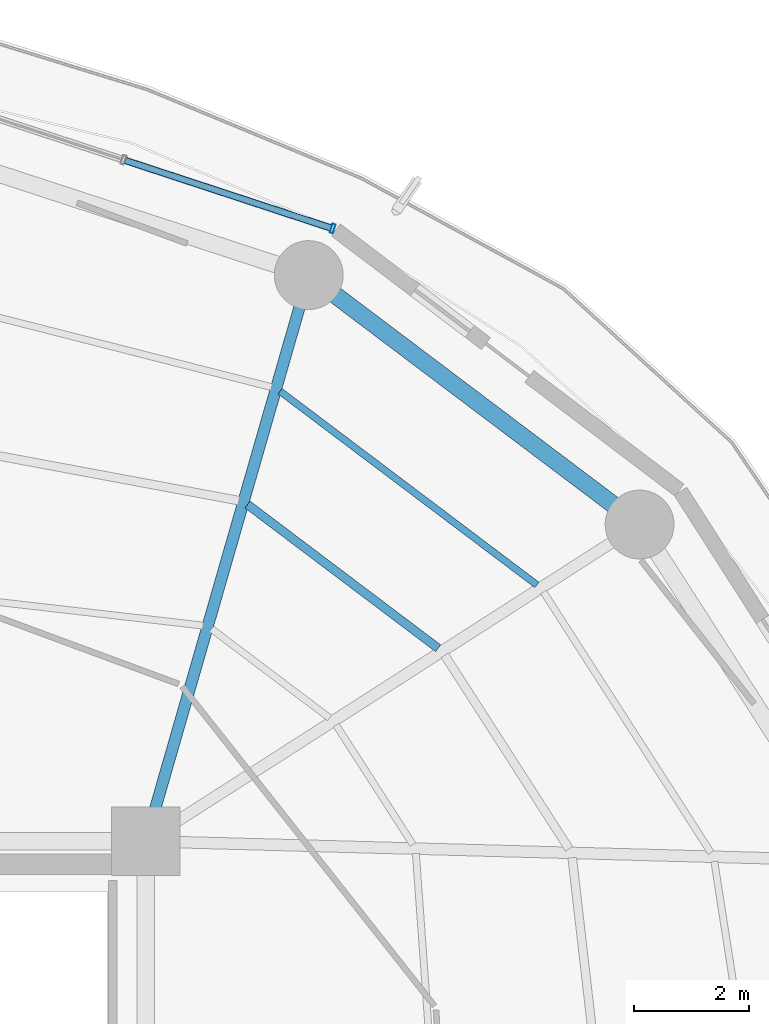
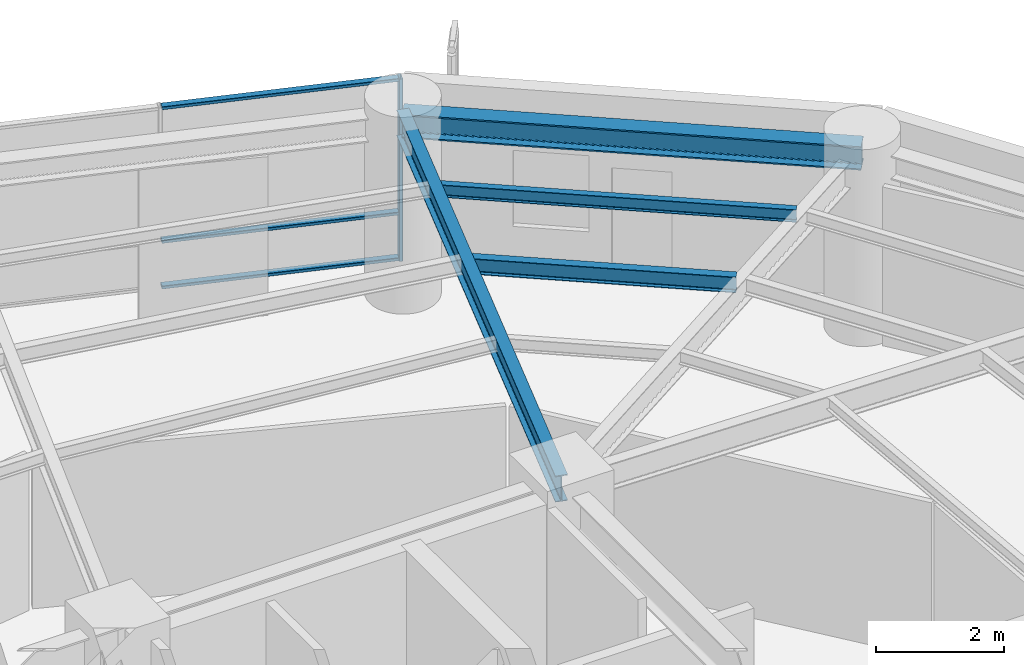
# One storey, part 19 of 27: 4 beams, 4 members, 1 element without a shape of its own.
"""IFC4 building model written with IfcOpenShell, lengths in metres."""

import ifcopenshell
import ifcopenshell.guid

model = None  # the IFC model being written
_history = None  # IfcOwnerHistory: only IFC2X3 demands one
_inside = {}  # id of a spatial element -> (the spatial element, [elements in it])
_under = {}  # id of a project, library or spatial element -> (it, [spatial elements below it])
_declared = {}  # id of a project -> (the project, [libraries it declares])
_typed = {}  # id of a type object -> (the type object, [elements of that type])
_made_of = {}  # id of a material, layer set ... -> (it, [elements and type objects made of it])


def new_model(schema):
    """Start an empty IFC model of exactly this schema.

    Asked for "IFC4X3", IfcOpenShell would pick the latest addendum, in which some entities
    have other attributes; the version numbers below select the first issue.
    IFC2X3 requires an IfcOwnerHistory on every rooted entity: one is made here for all.
    """
    global model, _history
    if schema == "IFC4X3":
        model = ifcopenshell.file(schema_version=(4, 3, 0, 0))
    else:
        model = ifcopenshell.file(schema=schema)
    _inside.clear()
    _under.clear()
    _declared.clear()
    _typed.clear()
    _made_of.clear()
    _history = None
    if model.schema == "IFC2X3":
        org = make("IfcOrganization", Name="unknown")
        user = make(
            "IfcPersonAndOrganization",
            ThePerson=make("IfcPerson", FamilyName="unknown"),
            TheOrganization=org,
        )
        app = make(
            "IfcApplication",
            ApplicationDeveloper=org,
            Version="unknown",
            ApplicationFullName="unknown",
            ApplicationIdentifier="unknown",
        )
        _history = make(
            "IfcOwnerHistory",
            OwningUser=user,
            OwningApplication=app,
            ChangeAction="ADDED",
            CreationDate=0,
        )
    return model


def make(cls, **values):
    """One entity of the class cls with the attributes given. An attribute that is None is left unset."""
    return model.create_entity(
        cls, **{name: value for name, value in values.items() if value is not None}
    )


def rooted(cls, **values):
    """An entity with a GlobalId (a new one), such as an element, a storey or a relation."""
    return make(cls, GlobalId=ifcopenshell.guid.new(), OwnerHistory=_history, **values)


def si_unit(unit_type, name, prefix=None):
    """IfcSIUnit, for example si_unit("LENGTHUNIT", "METRE", prefix="MILLI")."""
    return make("IfcSIUnit", UnitType=unit_type, Prefix=prefix, Name=name)


def assignment(units):
    """IfcUnitAssignment: the units of a project."""
    return None if units is None else make("IfcUnitAssignment", Units=units)


def point(xyz):
    """IfcCartesianPoint."""
    return None if xyz is None else make("IfcCartesianPoint", Coordinates=xyz)


def direction(xyz):
    """IfcDirection."""
    return None if xyz is None else make("IfcDirection", DirectionRatios=xyz)


def frame(location, z_axis=None, x_axis=None):
    """IfcAxis2Placement3D, a coordinate frame: its origin and axes. An axis left out is left unset."""
    return make(
        "IfcAxis2Placement3D",
        Location=point(location),
        Axis=direction(z_axis),
        RefDirection=direction(x_axis),
    )


def frame_2d(location, x_axis=None):
    """IfcAxis2Placement2D, a coordinate frame in the plane: its origin and x axis."""
    return make(
        "IfcAxis2Placement2D", Location=point(location), RefDirection=direction(x_axis)
    )


def origin():
    """The frame at (0, 0, 0) with its axes left unset."""
    return frame((0.0, 0.0, 0.0))


def origin_2d():
    """The frame at (0, 0) in the plane with its x axis left unset."""
    return frame_2d((0.0, 0.0))


def place(relative_to, where):
    """IfcLocalPlacement: puts the frame where relative to a parent placement (None: the world)."""
    return make(
        "IfcLocalPlacement", PlacementRelTo=relative_to, RelativePlacement=where
    )


def context(
    kind, dimensions, precision=None, world=None, true_north=None, identifier=None
):
    """IfcGeometricRepresentationContext, for example the 3D "Model" context."""
    return make(
        "IfcGeometricRepresentationContext",
        ContextIdentifier=identifier,
        ContextType=kind,
        CoordinateSpaceDimension=dimensions,
        Precision=precision,
        WorldCoordinateSystem=world,
        TrueNorth=true_north,
    )


def subcontext(parent, identifier, kind, view, scale=None):
    """IfcGeometricRepresentationSubContext, for example "Body" below "Model"."""
    return make(
        "IfcGeometricRepresentationSubContext",
        ContextIdentifier=identifier,
        ContextType=kind,
        ParentContext=parent,
        TargetScale=scale,
        TargetView=view,
    )


def project(units=None, contexts=None):
    """IfcProject with its units and contexts."""
    return rooted(
        "IfcProject",
        Name="project",
        RepresentationContexts=contexts,
        UnitsInContext=assignment(units),
    )


def spatial(cls, under=None, at=None, **own):
    """A site, building, storey or space (cls), placed at a placement, below another one or the project."""
    s = rooted(cls, ObjectPlacement=at, **own)
    if under is not None:
        _under.setdefault(under.id(), (under, []))[1].append(s)
    return s


def profile(cls, at=None, kind="AREA", **sizes):
    """A parametric profile (cls). Its sizes go by their IFC names, for example OverallWidth=200.0."""
    return make(cls, ProfileType=kind, Position=at, **sizes)


def hollow_rectangle(**sizes):
    """IfcRectangleHollowProfileDef."""
    return profile("IfcRectangleHollowProfileDef", **sizes)


def i_section(**sizes):
    """IfcIShapeProfileDef."""
    return profile("IfcIShapeProfileDef", **sizes)


def extrude(swept, where, along, depth):
    """IfcExtrudedAreaSolid: the profile swept, set in the frame where, extruded along a direction by depth."""
    return make(
        "IfcExtrudedAreaSolid",
        SweptArea=swept,
        Position=where,
        ExtrudedDirection=direction(along),
        Depth=depth,
    )


def shape(context_of_items, identifier, shape_type, items):
    """IfcShapeRepresentation: the items that make up one representation, for example the "Body"."""
    return make(
        "IfcShapeRepresentation",
        ContextOfItems=context_of_items,
        RepresentationIdentifier=identifier,
        RepresentationType=shape_type,
        Items=items,
    )


def material(Name=None, Category=None):
    """IfcMaterial."""
    return make("IfcMaterial", Name=Name, Category=Category)


def layer(
    of_material, thickness, ventilated=None, Name=None, Category=None, Priority=None
):
    """IfcMaterialLayer: one layer of a wall or slab, of a material (None: an air gap)."""
    return make(
        "IfcMaterialLayer",
        Material=of_material,
        LayerThickness=thickness,
        IsVentilated=ventilated,
        Name=Name,
        Category=Category,
        Priority=Priority,
    )


def layer_set(layers, Name=None):
    """IfcMaterialLayerSet."""
    return make("IfcMaterialLayerSet", MaterialLayers=layers, LayerSetName=Name)


def material_profile(
    of_material, cross_section, Name=None, Category=None, Priority=None
):
    """IfcMaterialProfile: a cross section and its material."""
    return make(
        "IfcMaterialProfile",
        Name=Name,
        Material=of_material,
        Profile=cross_section,
        Priority=Priority,
        Category=Category,
    )


def profile_set(profiles, Name=None, composite=None):
    """IfcMaterialProfileSet."""
    return make(
        "IfcMaterialProfileSet",
        Name=Name,
        MaterialProfiles=profiles,
        CompositeProfile=composite,
    )


def made_of(thing, what):
    """Note that an element or type object is made of a material, layer set ...; save() writes the relation."""
    if what is not None:
        _made_of.setdefault(what.id(), (what, []))[1].append(thing)
    return thing


def type_object(cls, material=None, **own):
    """A type object (cls), such as IfcWallType, which elements share."""
    return made_of(rooted(cls, **own), material)


def element(
    cls,
    number,
    at=None,
    inside=None,
    cuts=None,
    type_object=None,
    material=None,
    context=None,
    identifier="Body",
    shape_type=None,
    held_by="IfcProductDefinitionShape",
    body=None,
    shapes=None,
    **own,
):
    """One element of the class cls, such as IfcWall. Its Tag is "e" and its number.

    at: its placement. inside: the storey or other place that contains it. cuts: it is an
    opening in that element (IfcRelVoidsElement). A single representation is given by context,
    identifier, shape_type and body (its items); several are given by shapes. held_by: the class
    of the entity that holds the representations. save() writes the other relations.
    """
    e = rooted(cls, Tag="e%d" % number, ObjectPlacement=at, **own)
    if body is not None:
        shapes = [shape(context, identifier, shape_type, body)]
    if shapes is not None:
        e.Representation = make(held_by, Representations=shapes)
    if inside is not None:
        _inside.setdefault(inside.id(), (inside, []))[1].append(e)
    if cuts is not None:
        rooted(
            "IfcRelVoidsElement", RelatingBuildingElement=cuts, RelatedOpeningElement=e
        )
    if type_object is not None:
        _typed.setdefault(type_object.id(), (type_object, []))[1].append(e)
    return made_of(e, material)


def aggregate(whole, parts):
    """IfcRelAggregates: a whole, such as a stair, and the parts it consists of."""
    return rooted("IfcRelAggregates", RelatingObject=whole, RelatedObjects=parts)


def save(model, path):
    """Write the relations noted so far, then the file.

    IfcRelAggregates (storeys below a building ...), IfcRelContainedInSpatialStructure (elements
    in a storey), IfcRelDefinesByType, IfcRelAssociatesMaterial and IfcRelDeclares: one each for
    every whole, place, type object, material and project.
    """
    for whole, parts in _under.values():
        aggregate(whole, parts)
    for where, things in _inside.values():
        rooted(
            "IfcRelContainedInSpatialStructure",
            RelatedElements=things,
            RelatingStructure=where,
        )
    for kind, things in _typed.values():
        rooted("IfcRelDefinesByType", RelatedObjects=things, RelatingType=kind)
    for what, things in _made_of.values():
        rooted("IfcRelAssociatesMaterial", RelatedObjects=things, RelatingMaterial=what)
    for by, libraries in _declared.values():
        rooted("IfcRelDeclares", RelatingContext=by, RelatedDefinitions=libraries)
    model.write(path)


model = new_model("IFC4")

# Units and contexts
model_context = context("Model", 3, precision=1e-05, world=origin(), true_north=direction((0.0, 1.0)))
body_context = subcontext(model_context, "Body", "Model", "MODEL_VIEW")
ifc_project = project(units=[si_unit("LENGTHUNIT", "METRE"), si_unit("AREAUNIT", "SQUARE_METRE"), si_unit("VOLUMEUNIT", "CUBIC_METRE"), si_unit("PLANEANGLEUNIT", "RADIAN"), si_unit("MASSUNIT", "GRAM", prefix="KILO")], contexts=[model_context])

# Site, building, storey
site_placement = place(None, origin())
site = spatial("IfcSite", under=ifc_project, at=site_placement, CompositionType="ELEMENT")
building_placement = place(site_placement, origin())
building = spatial("IfcBuilding", under=site, at=building_placement, Name="Kelanora Arch Commons", CompositionType="ELEMENT")
storey_placement = place(building_placement, frame((0.0, 0.0, 150.60009765625)))
storey = spatial("IfcBuildingStorey", under=building, at=storey_placement, Name="L38", CompositionType="ELEMENT", Elevation=150.60009765625)

# Beams
ifc_material_1 = material(Name="Steel S355", Category="steel")
ifc_material_profile_1 = material_profile(ifc_material_1, i_section(OverallWidth=0.14990234375, OverallDepth=0.300048828125, WebThickness=0.007080078125, FlangeThickness=0.0107421875, FilletRadius=0.014892578125, at=origin_2d()), Name="IPE300")
ifc_profile_set_1 = profile_set([ifc_material_profile_1], Name="Steel S355")
beam_type_1 = type_object("IfcBeamType", Name="BM-JST-01", PredefinedType="JOIST", material=ifc_profile_set_1)
beam_1_placement = place(storey_placement, frame((87.0966796875, 68.364013671875, 3.33984375), z_axis=(-0.798463547891, 0.602043156833, 0.0), x_axis=(-0.602043156833, -0.798463547891, 0.0)))
element("IfcBeam", 1, at=beam_1_placement, inside=storey, type_object=beam_type_1, Name="Secondary Chord Joist BJB-04 L38", PredefinedType="JOIST", context=body_context, shape_type="SweptSolid", body=[
    extrude(i_section(OverallWidth=0.14990234375, OverallDepth=0.300048828125, WebThickness=0.007080078125, FlangeThickness=0.0107421875, FilletRadius=0.014892578125, at=origin_2d()), origin(), (0.0, 0.0, 1.0), 4.163818359375),
])
ifc_material_profile_2 = material_profile(ifc_material_1, i_section(OverallWidth=0.1201171875, OverallDepth=0.239990234375, WebThickness=0.006103515625, FlangeThickness=0.009765625, FilletRadius=0.014892578125, at=origin_2d()), Name="IPE240")
ifc_profile_set_2 = profile_set([ifc_material_profile_2], Name="Steel S355")
beam_type_2 = type_object("IfcBeamType", Name="BM-JST-02", PredefinedType="JOIST", material=ifc_profile_set_2)
beam_2_placement = place(storey_placement, frame((88.818359375, 69.468505859375, 3.369873046875), z_axis=(-0.798493128577, 0.602003923256, 0.0), x_axis=(-0.602003923256, -0.798493128577, 0.0)))
element("IfcBeam", 2, at=beam_2_placement, inside=storey, type_object=beam_type_2, Name="Secondary Chord Joist BJC-04 L38", PredefinedType="JOIST", context=body_context, shape_type="SweptSolid", body=[
    extrude(i_section(OverallWidth=0.1201171875, OverallDepth=0.239990234375, WebThickness=0.006103515625, FlangeThickness=0.009765625, FilletRadius=0.014892578125, at=origin_2d()), origin(), (0.0, 0.0, 1.0), 5.608642578125),
])
ifc_material_profile_3 = material_profile(ifc_material_1, i_section(OverallWidth=0.199951171875, OverallDepth=0.5, WebThickness=0.01025390625, FlangeThickness=0.01611328125, FilletRadius=0.02099609375, at=origin_2d()), Name="IPE500")
ifc_profile_set_3 = profile_set([ifc_material_profile_3], Name="Steel S355")
beam_type_3 = type_object("IfcBeamType", Name="BM-RAD-Z3", PredefinedType="BEAM", material=ifc_profile_set_3)
beam_3_placement = place(storey_placement, frame((82.0, 65.0, 3.239990234375), z_axis=(0.276525880065, 0.961006471182, 0.0), x_axis=(-0.961006471182, 0.276525880065, 0.0)))
element("IfcBeam", 3, at=beam_3_placement, inside=storey, type_object=beam_type_3, Name="Radial Floor Girder BR-06 L38", PredefinedType="BEAM", context=body_context, shape_type="SweptSolid", body=[
    extrude(i_section(OverallWidth=0.199951171875, OverallDepth=0.5, WebThickness=0.01025390625, FlangeThickness=0.01611328125, FilletRadius=0.02099609375, at=origin_2d()), origin(), (0.0, 0.0, 1.0), 10.2705078125),
])
ifc_material_profile_4 = material_profile(ifc_material_1, i_section(OverallWidth=0.300048828125, OverallDepth=0.449951171875, WebThickness=0.013916015625, FlangeThickness=0.02587890625, FilletRadius=0.027099609375, at=origin_2d()), Name="HEB450")
ifc_profile_set_4 = profile_set([ifc_material_profile_4], Name="Steel S355")
beam_type_4 = type_object("IfcBeamType", Name="BM-SPN-Z3", PredefinedType="SPANDREL", material=ifc_profile_set_4)
beam_4_placement = place(storey_placement, frame((90.60791015625, 70.521484375, 3.264892578125), z_axis=(-0.798484645564, 0.60201517489, 0.0), x_axis=(-0.60201517489, -0.798484645564, 0.0)))
element("IfcBeam", 4, at=beam_4_placement, inside=storey, type_object=beam_type_4, Name="Perimeter Spandrel Beam BS-04 L38", PredefinedType="SPANDREL", context=body_context, shape_type="SweptSolid", body=[
    extrude(i_section(OverallWidth=0.300048828125, OverallDepth=0.449951171875, WebThickness=0.013916015625, FlangeThickness=0.02587890625, FilletRadius=0.027099609375, at=origin_2d()), origin(), (0.0, 0.0, 1.0), 7.223388671875),
])

# Curtain wall, members
ifc_material_2 = material(Name="Terracotta ceramic-fritted low-E glass and aluminium", Category="masonry")
ifc_layer = layer(ifc_material_2, 0.175048828125)
ifc_layer_set = layer_set([ifc_layer], Name="Terracotta ceramic-fritted low-E glass and aluminium")
curtain_wall_type = type_object("IfcCurtainWallType", Name="CW-SYS-02", PredefinedType="NOTDEFINED", material=ifc_layer_set)
curtain_wall_placement = place(storey_placement, origin())
curtain_wall = element("IfcCurtainWall", 5, at=curtain_wall_placement, inside=storey, type_object=curtain_wall_type, Name="Unitised Curtain Wall L38-B03", PredefinedType="NOTDEFINED")
ifc_material_3 = material(Name="Powder-coated aluminium terracotta", Category="masonry")
ifc_material_profile_5 = material_profile(ifc_material_3, hollow_rectangle(XDim=0.159912109375, YDim=0.06005859375, WallThickness=0.0048828125, InnerFilletRadius=0.0048828125, OuterFilletRadius=0.010009765625, at=origin_2d()), Name="CWM160x60")
ifc_profile_set_5 = profile_set([ifc_material_profile_5], Name="Powder-coated aluminium terracotta")
member_type_1 = type_object("IfcMemberType", Name="CWM-STD", PredefinedType="MULLION", material=ifc_profile_set_5)
member_1_placement = place(storey_placement, frame((85.257080078125, 75.680908203125, 0.0), z_axis=(0.0, 0.0, 1.0), x_axis=(-0.312128279571, -0.95003996605, 0.0)))
member_1 = element("IfcMember", 6, at=member_1_placement, type_object=member_type_1, Name="CW-02 mullion 1", PredefinedType="MULLION", context=body_context, shape_type="SweptSolid", body=[
    extrude(hollow_rectangle(XDim=0.159912109375, YDim=0.06005859375, WallThickness=0.0048828125, InnerFilletRadius=0.0048828125, OuterFilletRadius=0.010009765625, at=origin_2d()), origin(), (0.0, 0.0, 1.0), 3.474853515625),
])
ifc_material_profile_6 = material_profile(ifc_material_3, hollow_rectangle(XDim=0.1201171875, YDim=0.06005859375, WallThickness=0.0048828125, InnerFilletRadius=0.0048828125, OuterFilletRadius=0.010009765625, at=origin_2d()), Name="CWT120x60")
ifc_profile_set_6 = profile_set([ifc_material_profile_6], Name="Powder-coated aluminium terracotta")
member_type_2 = type_object("IfcMemberType", Name="CWT-STD", PredefinedType="USERDEFINED", material=ifc_profile_set_6)
member_2_placement = place(storey_placement, frame((85.228759765625, 75.6904296875, 0.02978515625), z_axis=(-0.950051191155, 0.312094111104, 0.0), x_axis=(-0.312094111104, -0.950051191155, 0.0)))
member_2 = element("IfcMember", 7, at=member_2_placement, type_object=member_type_2, Name="CW-02 transom 1.1", ObjectType="TRANSOM", PredefinedType="USERDEFINED", context=body_context, shape_type="SweptSolid", body=[
    extrude(hollow_rectangle(XDim=0.1201171875, YDim=0.06005859375, WallThickness=0.0048828125, InnerFilletRadius=0.0048828125, OuterFilletRadius=0.010009765625, at=origin_2d()), origin(), (0.0, 0.0, 1.0), 3.77685546875),
])
member_3_placement = place(storey_placement, frame((85.228759765625, 75.6904296875, 0.89990234375), z_axis=(-0.950051191155, 0.312094111104, 0.0), x_axis=(-0.312094111104, -0.950051191155, 0.0)))
member_3 = element("IfcMember", 8, at=member_3_placement, type_object=member_type_2, Name="CW-02 transom 1.2", ObjectType="TRANSOM", PredefinedType="USERDEFINED", context=body_context, shape_type="SweptSolid", body=[
    extrude(hollow_rectangle(XDim=0.1201171875, YDim=0.06005859375, WallThickness=0.0048828125, InnerFilletRadius=0.0048828125, OuterFilletRadius=0.010009765625, at=origin_2d()), origin(), (0.0, 0.0, 1.0), 3.77685546875),
])
member_4_placement = place(storey_placement, frame((85.228759765625, 75.6904296875, 3.44482421875), z_axis=(-0.950051191155, 0.312094111104, 0.0), x_axis=(-0.312094111104, -0.950051191155, 0.0)))
member_4 = element("IfcMember", 9, at=member_4_placement, type_object=member_type_2, Name="CW-02 transom 1.3", ObjectType="TRANSOM", PredefinedType="USERDEFINED", context=body_context, shape_type="SweptSolid", body=[
    extrude(hollow_rectangle(XDim=0.1201171875, YDim=0.06005859375, WallThickness=0.0048828125, InnerFilletRadius=0.0048828125, OuterFilletRadius=0.010009765625, at=origin_2d()), origin(), (0.0, 0.0, 1.0), 3.77685546875),
])
aggregate(curtain_wall, [member_1, member_2, member_3, member_4])

save(model, "model.ifc")
